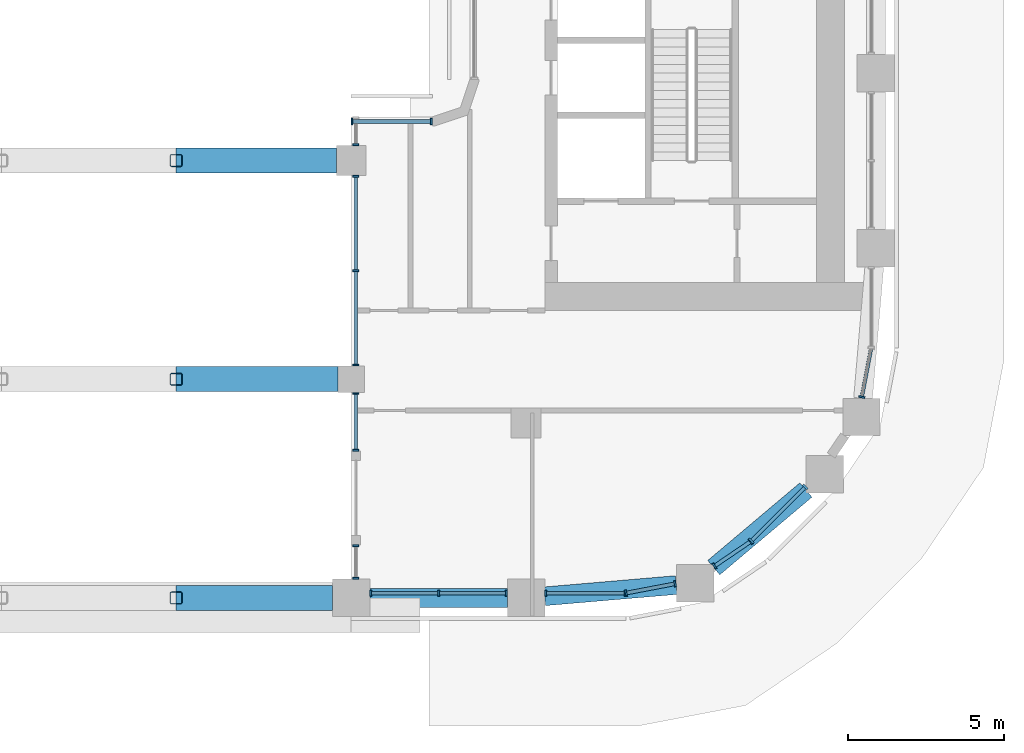
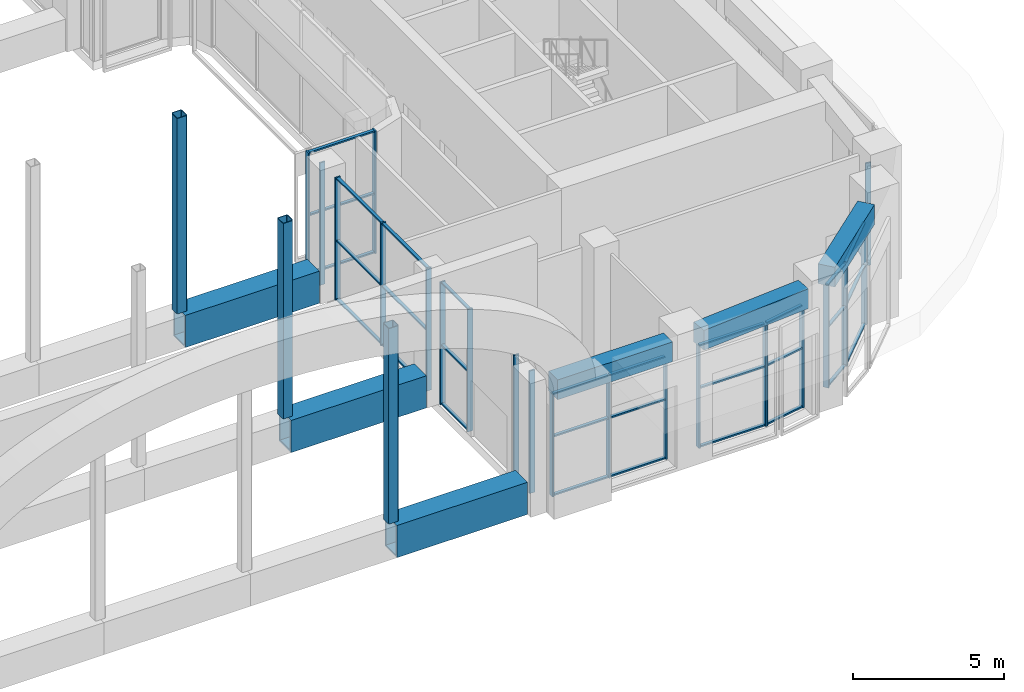
# One storey, part 5 of 28: 59 members, 3 beams, 11 elements without a shape of their own.
"""IFC4 building model written with IfcOpenShell, lengths in metres."""

from ifc_helpers import new_model, si_unit, direction, frame, origin, origin_2d, place, context, subcontext, project, spatial, rectangle, hollow_rectangle, extrude, material, layer, layer_set, material_profile, profile_set, type_object, element, aggregate, save


model = new_model("IFC4")

# Units and contexts
model_context = context("Model", 3, precision=1e-05, world=origin(), true_north=direction((0.0, 1.0)))
body_context = subcontext(model_context, "Body", "Model", "MODEL_VIEW")
ifc_project = project(units=[si_unit("LENGTHUNIT", "METRE"), si_unit("AREAUNIT", "SQUARE_METRE"), si_unit("VOLUMEUNIT", "CUBIC_METRE"), si_unit("PLANEANGLEUNIT", "RADIAN"), si_unit("MASSUNIT", "GRAM", prefix="KILO")], contexts=[model_context])

# Site, building, storey
site_placement = place(None, origin())
site = spatial("IfcSite", under=ifc_project, at=site_placement, CompositionType="ELEMENT")
building_placement = place(site_placement, origin())
building = spatial("IfcBuilding", under=site, at=building_placement, Name="Kiln Ring Residences", CompositionType="ELEMENT")
storey_placement = place(building_placement, frame((0.0, 0.0, 125.300048828125)))
storey = spatial("IfcBuildingStorey", under=building, at=storey_placement, Name="L32", CompositionType="ELEMENT", Elevation=125.300048828125)

# Members
ifc_material_1 = material(Name="Steel S460", Category="steel")
ifc_material_profile_1 = material_profile(ifc_material_1, hollow_rectangle(XDim=0.800048828125, YDim=1.300048828125, WallThickness=0.070068359375, at=origin_2d()), Name="BOX1300x800x70")
ifc_profile_set_1 = profile_set([ifc_material_profile_1], Name="Steel S460")
member_type_1 = type_object("IfcMemberType", Name="Bridge truss chord BOX1300x800x70 S460", PredefinedType="CHORD", material=ifc_profile_set_1)
member_1_placement = place(storey_placement, frame((5.60009765625, -22.39990234375, 0.64990234375), z_axis=(1.0, 0.0, 0.0), x_axis=(0.0, 1.0, 0.0)))
element("IfcMember", 1, at=member_1_placement, inside=storey, type_object=member_type_1, Name="Bridge truss chord L32 4", PredefinedType="CHORD", context=body_context, shape_type="SweptSolid", body=[
    extrude(hollow_rectangle(XDim=0.800048828125, YDim=1.300048828125, WallThickness=0.070068359375, at=origin_2d()), origin(), (0.0, 0.0, 1.0), 5.0),
])
member_2_placement = place(storey_placement, frame((5.60009765625, -15.39990234375, 0.64990234375), z_axis=(1.0, 0.0, 0.0), x_axis=(0.0, 1.0, 0.0)))
element("IfcMember", 2, at=member_2_placement, inside=storey, type_object=member_type_1, Name="Bridge truss chord L32 8", PredefinedType="CHORD", context=body_context, shape_type="SweptSolid", body=[
    extrude(hollow_rectangle(XDim=0.800048828125, YDim=1.300048828125, WallThickness=0.070068359375, at=origin_2d()), origin(), (0.0, 0.0, 1.0), 5.1748046875),
])
member_3_placement = place(storey_placement, frame((5.60009765625, -8.39990234375, 0.64990234375), z_axis=(1.0, 0.0, 0.0), x_axis=(0.0, 1.0, 0.0)))
element("IfcMember", 3, at=member_3_placement, inside=storey, type_object=member_type_1, Name="Bridge truss chord L32 12", PredefinedType="CHORD", context=body_context, shape_type="SweptSolid", body=[
    extrude(hollow_rectangle(XDim=0.800048828125, YDim=1.300048828125, WallThickness=0.070068359375, at=origin_2d()), origin(), (0.0, 0.0, 1.0), 5.125),
])
ifc_material_2 = material(Name="Steel S355", Category="steel")
ifc_material_profile_2 = material_profile(ifc_material_2, hollow_rectangle(XDim=0.39990234375, YDim=0.39990234375, WallThickness=0.02490234375, InnerFilletRadius=0.02490234375, OuterFilletRadius=0.0625, at=origin_2d()), Name="SHS400x400x25")
ifc_profile_set_2 = profile_set([ifc_material_profile_2], Name="Steel S355")
member_type_2 = type_object("IfcMemberType", Name="Bridge truss post SHS400x400x25 S355", PredefinedType="POST", material=ifc_profile_set_2)
for number, where, z_axis, x_axis, name in (
    (4, (5.60009765625, -22.39990234375, 1.300048828125), (0.0, 0.0, 1.0), (1.0, 0.0, 0.0), "Bridge truss post L32 3"),
    (5, (5.60009765625, -15.39990234375, 1.300048828125), (0.0, 0.0, 1.0), (1.0, 0.0, 0.0), "Bridge truss post L32 6"),
    (6, (5.60009765625, -8.39990234375, 1.300048828125), (0.0, 0.0, 1.0), (1.0, 0.0, 0.0), "Bridge truss post L32 9"),
):
    element("IfcMember", number, at=place(storey_placement, frame(where, z_axis=z_axis, x_axis=x_axis)), inside=storey, type_object=member_type_2, Name=name, PredefinedType="POST", context=body_context, shape_type="SweptSolid", body=[
        extrude(hollow_rectangle(XDim=0.39990234375, YDim=0.39990234375, WallThickness=0.02490234375, InnerFilletRadius=0.02490234375, OuterFilletRadius=0.0625, at=origin_2d()), origin(), (0.0, 0.0, 1.0), 7.89990234375),
    ])

# Curtain wall, members
ifc_material_3 = material(Name="Aluminium and glass", Category="aluminium")
ifc_layer = layer(ifc_material_3, 0.199951171875)
ifc_layer_set = layer_set([ifc_layer], Name="CW1 CURTAIN WALL")
curtain_wall_type = type_object("IfcCurtainWallType", Name="CW1 CURTAIN WALL", PredefinedType="NOTDEFINED", material=ifc_layer_set)
placement = place(storey_placement, origin())
curtain_wall_1 = element("IfcCurtainWall", 7, at=placement, inside=storey, type_object=curtain_wall_type, Name="Curtain wall CW1 L32", PredefinedType="NOTDEFINED")
ifc_material_4 = material(Name="Aluminium 6063-T6", Category="aluminium")
ifc_material_profile_3 = material_profile(ifc_material_4, rectangle(XDim=0.199951171875, YDim=0.06005859375, at=origin_2d()), Name="AL 200x60")
ifc_profile_set_3 = profile_set([ifc_material_profile_3], Name="Aluminium 6063-T6")
member_type_3 = type_object("IfcMemberType", Name="CW1 MULLION 200 x 60", PredefinedType="MULLION", material=ifc_profile_set_3)
member_4_placement = place(storey_placement, frame((13.77001953125, -7.14990234375, 0.0), z_axis=(0.0, 0.0, 1.0), x_axis=(0.0, -1.0, 0.0)))
member_4 = element("IfcMember", 8, at=member_4_placement, type_object=member_type_3, Name="CW1 mullion 1", PredefinedType="MULLION", context=body_context, shape_type="SweptSolid", body=[
    extrude(rectangle(XDim=0.199951171875, YDim=0.06005859375, at=origin_2d()), origin(), (0.0, 0.0, 1.0), 4.949951171875),
])
member_5_placement = place(storey_placement, frame((11.22998046875, -7.14990234375, 0.0), z_axis=(0.0, 0.0, 1.0), x_axis=(0.0, -1.0, 0.0)))
member_5 = element("IfcMember", 9, at=member_5_placement, type_object=member_type_3, Name="CW1 mullion 2", PredefinedType="MULLION", context=body_context, shape_type="SweptSolid", body=[
    extrude(rectangle(XDim=0.199951171875, YDim=0.06005859375, at=origin_2d()), origin(), (0.0, 0.0, 1.0), 4.949951171875),
])

# Curtain wall, member
curtain_wall_2 = element("IfcCurtainWall", 10, at=placement, inside=storey, type_object=curtain_wall_type, Name="Curtain wall CW1 L32", PredefinedType="NOTDEFINED")
member_6_placement = place(storey_placement, frame((11.35009765625, -7.89501953125, 0.0), z_axis=(0.0, 0.0, 1.0), x_axis=(1.0, 0.0, 0.0)))
member_6 = element("IfcMember", 11, at=member_6_placement, type_object=member_type_3, Name="CW1 mullion 2", PredefinedType="MULLION", context=body_context, shape_type="SweptSolid", body=[
    extrude(rectangle(XDim=0.199951171875, YDim=0.06005859375, at=origin_2d()), origin(), (0.0, 0.0, 1.0), 4.949951171875),
])
aggregate(curtain_wall_2, [member_6])

# Curtain wall, members
curtain_wall_3 = element("IfcCurtainWall", 12, at=placement, inside=storey, type_object=curtain_wall_type, Name="Curtain wall CW1 L32", PredefinedType="NOTDEFINED")
member_7_placement = place(storey_placement, frame((11.35009765625, -8.905029296875, 0.0), z_axis=(0.0, 0.0, 1.0), x_axis=(1.0, 0.0, 0.0)))
member_7 = element("IfcMember", 13, at=member_7_placement, type_object=member_type_3, Name="CW1 mullion 1", PredefinedType="MULLION", context=body_context, shape_type="SweptSolid", body=[
    extrude(rectangle(XDim=0.199951171875, YDim=0.06005859375, at=origin_2d()), origin(), (0.0, 0.0, 1.0), 4.949951171875),
])
member_8_placement = place(storey_placement, frame((11.35009765625, -11.925048828125, 0.0), z_axis=(0.0, 0.0, 1.0), x_axis=(1.0, 0.0, 0.0)))
member_8 = element("IfcMember", 14, at=member_8_placement, type_object=member_type_3, Name="CW1 mullion 2", PredefinedType="MULLION", context=body_context, shape_type="SweptSolid", body=[
    extrude(rectangle(XDim=0.199951171875, YDim=0.06005859375, at=origin_2d()), origin(), (0.0, 0.0, 1.0), 4.949951171875),
])
member_9_placement = place(storey_placement, frame((11.35009765625, -14.945068359375, 0.0), z_axis=(0.0, 0.0, 1.0), x_axis=(1.0, 0.0, 0.0)))
member_9 = element("IfcMember", 15, at=member_9_placement, type_object=member_type_3, Name="CW1 mullion 3", PredefinedType="MULLION", context=body_context, shape_type="SweptSolid", body=[
    extrude(rectangle(XDim=0.199951171875, YDim=0.06005859375, at=origin_2d()), origin(), (0.0, 0.0, 1.0), 4.949951171875),
])

curtain_wall_4 = element("IfcCurtainWall", 16, at=placement, inside=storey, type_object=curtain_wall_type, Name="Curtain wall CW1 L32", PredefinedType="NOTDEFINED")
member_10_placement = place(storey_placement, frame((11.35009765625, -15.85498046875, 0.0), z_axis=(0.0, 0.0, 1.0), x_axis=(1.0, 0.0, 0.0)))
member_10 = element("IfcMember", 17, at=member_10_placement, type_object=member_type_3, Name="CW1 mullion 1", PredefinedType="MULLION", context=body_context, shape_type="SweptSolid", body=[
    extrude(rectangle(XDim=0.199951171875, YDim=0.06005859375, at=origin_2d()), origin(), (0.0, 0.0, 1.0), 4.949951171875),
])
member_11_placement = place(storey_placement, frame((11.35009765625, -17.669921875, 0.0), z_axis=(0.0, 0.0, 1.0), x_axis=(1.0, 0.0, 0.0)))
member_11 = element("IfcMember", 18, at=member_11_placement, type_object=member_type_3, Name="CW1 mullion 2", PredefinedType="MULLION", context=body_context, shape_type="SweptSolid", body=[
    extrude(rectangle(XDim=0.199951171875, YDim=0.06005859375, at=origin_2d()), origin(), (0.0, 0.0, 1.0), 4.949951171875),
])

curtain_wall_5 = element("IfcCurtainWall", 19, at=placement, inside=storey, type_object=curtain_wall_type, Name="Curtain wall CW1 L32", PredefinedType="NOTDEFINED")
member_12_placement = place(storey_placement, frame((11.35009765625, -20.72998046875, 0.0), z_axis=(0.0, 0.0, 1.0), x_axis=(1.0, 0.0, 0.0)))
member_12 = element("IfcMember", 20, at=member_12_placement, type_object=member_type_3, Name="CW1 mullion 1", PredefinedType="MULLION", context=body_context, shape_type="SweptSolid", body=[
    extrude(rectangle(XDim=0.199951171875, YDim=0.06005859375, at=origin_2d()), origin(), (0.0, 0.0, 1.0), 4.949951171875),
])
member_13_placement = place(storey_placement, frame((11.35009765625, -21.77001953125, 0.0), z_axis=(0.0, 0.0, 1.0), x_axis=(1.0, 0.0, 0.0)))
member_13 = element("IfcMember", 21, at=member_13_placement, type_object=member_type_3, Name="CW1 mullion 2", PredefinedType="MULLION", context=body_context, shape_type="SweptSolid", body=[
    extrude(rectangle(XDim=0.199951171875, YDim=0.06005859375, at=origin_2d()), origin(), (0.0, 0.0, 1.0), 4.949951171875),
])
aggregate(curtain_wall_5, [member_12, member_13])

curtain_wall_6 = element("IfcCurtainWall", 22, at=placement, inside=storey, type_object=curtain_wall_type, Name="Curtain wall CW1 L32", PredefinedType="NOTDEFINED")
member_14_placement = place(storey_placement, frame((11.830078125, -22.25, 0.0), z_axis=(0.0, 0.0, 1.0), x_axis=(0.0, 1.0, 0.0)))
member_14 = element("IfcMember", 23, at=member_14_placement, type_object=member_type_3, Name="CW1 mullion 1", PredefinedType="MULLION", context=body_context, shape_type="SweptSolid", body=[
    extrude(rectangle(XDim=0.199951171875, YDim=0.06005859375, at=origin_2d()), origin(), (0.0, 0.0, 1.0), 4.14990234375),
])
member_15_placement = place(storey_placement, frame((14.0, -22.25, 0.0), z_axis=(0.0, 0.0, 1.0), x_axis=(0.0, 1.0, 0.0)))
member_15 = element("IfcMember", 24, at=member_15_placement, type_object=member_type_3, Name="CW1 mullion 2", PredefinedType="MULLION", context=body_context, shape_type="SweptSolid", body=[
    extrude(rectangle(XDim=0.199951171875, YDim=0.06005859375, at=origin_2d()), origin(), (0.0, 0.0, 1.0), 4.14990234375),
])
member_16_placement = place(storey_placement, frame((16.169921875, -22.25, 0.0), z_axis=(0.0, 0.0, 1.0), x_axis=(0.0, 1.0, 0.0)))
member_16 = element("IfcMember", 25, at=member_16_placement, type_object=member_type_3, Name="CW1 mullion 3", PredefinedType="MULLION", context=body_context, shape_type="SweptSolid", body=[
    extrude(rectangle(XDim=0.199951171875, YDim=0.06005859375, at=origin_2d()), origin(), (0.0, 0.0, 1.0), 4.14990234375),
])

curtain_wall_7 = element("IfcCurtainWall", 26, at=placement, inside=storey, type_object=curtain_wall_type, Name="Curtain wall CW1 L32", PredefinedType="NOTDEFINED")
member_17_placement = place(storey_placement, frame((17.429931640625, -22.25, 0.0), z_axis=(0.0, 0.0, 1.0), x_axis=(0.0, 1.0, 0.0)))
member_17 = element("IfcMember", 27, at=member_17_placement, type_object=member_type_3, Name="CW1 mullion 1", PredefinedType="MULLION", context=body_context, shape_type="SweptSolid", body=[
    extrude(rectangle(XDim=0.199951171875, YDim=0.06005859375, at=origin_2d()), origin(), (0.0, 0.0, 1.0), 4.14990234375),
])
member_18_placement = place(storey_placement, frame((19.969970703125, -22.25, 0.0), z_axis=(0.0, 0.0, 1.0), x_axis=(0.0, 1.0, 0.0)))
member_18 = element("IfcMember", 28, at=member_18_placement, type_object=member_type_3, Name="CW1 mullion 2", PredefinedType="MULLION", context=body_context, shape_type="SweptSolid", body=[
    extrude(rectangle(XDim=0.199951171875, YDim=0.06005859375, at=origin_2d()), origin(), (0.0, 0.0, 1.0), 4.14990234375),
])

curtain_wall_8 = element("IfcCurtainWall", 29, at=placement, inside=storey, type_object=curtain_wall_type, Name="Curtain wall CW1 L32", PredefinedType="NOTDEFINED")
member_19_placement = place(storey_placement, frame((20.00146484375, -22.2470703125, 0.0), z_axis=(0.0, 0.0, 1.0), x_axis=(-0.187365550262, 0.982290257803, 0.0)))
member_19 = element("IfcMember", 30, at=member_19_placement, type_object=member_type_3, Name="CW1 mullion 1", PredefinedType="MULLION", context=body_context, shape_type="SweptSolid", body=[
    extrude(rectangle(XDim=0.199951171875, YDim=0.06005859375, at=origin_2d()), origin(), (0.0, 0.0, 1.0), 4.14990234375),
])
member_20_placement = place(storey_placement, frame((21.5693359375, -21.947998046875, 0.0), z_axis=(0.0, 0.0, 1.0), x_axis=(-0.187365550262, 0.982290257803, 0.0)))
member_20 = element("IfcMember", 31, at=member_20_placement, type_object=member_type_3, Name="CW1 mullion 2", PredefinedType="MULLION", context=body_context, shape_type="SweptSolid", body=[
    extrude(rectangle(XDim=0.199951171875, YDim=0.06005859375, at=origin_2d()), origin(), (0.0, 0.0, 1.0), 4.14990234375),
])

curtain_wall_9 = element("IfcCurtainWall", 32, at=placement, inside=storey, type_object=curtain_wall_type, Name="Curtain wall CW1 L32", PredefinedType="NOTDEFINED")
member_21_placement = place(storey_placement, frame((22.83349609375, -21.38037109375, 0.0), z_axis=(0.0, 0.0, 1.0), x_axis=(-0.562096651409, 0.827071553419, 0.0)))
member_21 = element("IfcMember", 33, at=member_21_placement, type_object=member_type_3, Name="CW1 mullion 1", PredefinedType="MULLION", context=body_context, shape_type="SweptSolid", body=[
    extrude(rectangle(XDim=0.199951171875, YDim=0.06005859375, at=origin_2d()), origin(), (0.0, 0.0, 1.0), 4.14990234375),
])
member_22_placement = place(storey_placement, frame((23.988037109375, -20.595703125, 0.0), z_axis=(0.0, 0.0, 1.0), x_axis=(-0.562096651409, 0.827071553419, 0.0)))
member_22 = element("IfcMember", 34, at=member_22_placement, type_object=member_type_3, Name="CW1 mullion 2", PredefinedType="MULLION", context=body_context, shape_type="SweptSolid", body=[
    extrude(rectangle(XDim=0.199951171875, YDim=0.06005859375, at=origin_2d()), origin(), (0.0, 0.0, 1.0), 4.14990234375),
])

curtain_wall_10 = element("IfcCurtainWall", 35, at=placement, inside=storey, type_object=curtain_wall_type, Name="Curtain wall CW1 L32", PredefinedType="NOTDEFINED")
member_23_placement = place(storey_placement, frame((24.01220703125, -20.57568359375, 0.0), z_axis=(0.0, 0.0, 1.0), x_axis=(-0.707106781187, 0.707106781187, 0.0)))
member_23 = element("IfcMember", 36, at=member_23_placement, type_object=member_type_3, Name="CW1 mullion 1", PredefinedType="MULLION", context=body_context, shape_type="SweptSolid", body=[
    extrude(rectangle(XDim=0.199951171875, YDim=0.06005859375, at=origin_2d()), origin(), (0.0, 0.0, 1.0), 4.14990234375),
])
member_24_placement = place(storey_placement, frame((25.738525390625, -18.849365234375, 0.0), z_axis=(0.0, 0.0, 1.0), x_axis=(-0.707106781187, 0.707106781187, 0.0)))
member_24 = element("IfcMember", 37, at=member_24_placement, type_object=member_type_3, Name="CW1 mullion 2", PredefinedType="MULLION", context=body_context, shape_type="SweptSolid", body=[
    extrude(rectangle(XDim=0.199951171875, YDim=0.06005859375, at=origin_2d()), origin(), (0.0, 0.0, 1.0), 4.14990234375),
])

# Curtain wall, member
curtain_wall_11 = element("IfcCurtainWall", 38, at=placement, inside=storey, type_object=curtain_wall_type, Name="Curtain wall CW1 L32", PredefinedType="NOTDEFINED")
member_25_placement = place(storey_placement, frame((27.548095703125, -15.96923828125, 0.0), z_axis=(0.0, 0.0, 1.0), x_axis=(-0.982290257803, 0.187365550262, 0.0)))
member_25 = element("IfcMember", 39, at=member_25_placement, type_object=member_type_3, Name="CW1 mullion 1", PredefinedType="MULLION", context=body_context, shape_type="SweptSolid", body=[
    extrude(rectangle(XDim=0.199951171875, YDim=0.06005859375, at=origin_2d()), origin(), (0.0, 0.0, 1.0), 4.14990234375),
])

# Member
ifc_material_5 = material(Name="Aluminium 6063-T6", Category="aluminium")
ifc_material_profile_4 = material_profile(ifc_material_5, rectangle(XDim=0.1201171875, YDim=0.06005859375, at=origin_2d()), Name="AL 120x60")
ifc_profile_set_4 = profile_set([ifc_material_profile_4], Name="Aluminium 6063-T6")
member_type_4 = type_object("IfcMemberType", Name="CW1 TRANSOM 120 x 60", PredefinedType="USERDEFINED", material=ifc_profile_set_4)
member_26_placement = place(storey_placement, frame((13.739990234375, -7.14990234375, 0.030029296875), z_axis=(-1.0, 0.0, 0.0), x_axis=(0.0, -1.0, 0.0)))
member_26 = element("IfcMember", 40, at=member_26_placement, type_object=member_type_4, Name="CW1 transom 1.1", ObjectType="TRANSOM", PredefinedType="USERDEFINED", context=body_context, shape_type="SweptSolid", body=[
    extrude(rectangle(XDim=0.1201171875, YDim=0.06005859375, at=origin_2d()), origin(), (0.0, 0.0, 1.0), 2.47998046875),
])

member_27_placement = place(storey_placement, frame((13.739990234375, -7.14990234375, 2.39990234375), z_axis=(-1.0, 0.0, 0.0), x_axis=(0.0, -1.0, 0.0)))
member_27 = element("IfcMember", 41, at=member_27_placement, type_object=member_type_4, Name="CW1 transom 1.2", ObjectType="TRANSOM", PredefinedType="USERDEFINED", context=body_context, shape_type="SweptSolid", body=[
    extrude(rectangle(XDim=0.1201171875, YDim=0.06005859375, at=origin_2d()), origin(), (0.0, 0.0, 1.0), 2.47998046875),
])

member_28_placement = place(storey_placement, frame((13.739990234375, -7.14990234375, 4.919921875), z_axis=(-1.0, 0.0, 0.0), x_axis=(0.0, -1.0, 0.0)))
member_28 = element("IfcMember", 42, at=member_28_placement, type_object=member_type_4, Name="CW1 transom 1.3", ObjectType="TRANSOM", PredefinedType="USERDEFINED", context=body_context, shape_type="SweptSolid", body=[
    extrude(rectangle(XDim=0.1201171875, YDim=0.06005859375, at=origin_2d()), origin(), (0.0, 0.0, 1.0), 2.47998046875),
])

aggregate(curtain_wall_1, [member_4, member_5, member_26, member_27, member_28])

member_29_placement = place(storey_placement, frame((11.35009765625, -8.93505859375, 0.030029296875), z_axis=(0.0, -1.0, 0.0), x_axis=(1.0, 0.0, 0.0)))
member_29 = element("IfcMember", 43, at=member_29_placement, type_object=member_type_4, Name="CW1 transom 1.1", ObjectType="TRANSOM", PredefinedType="USERDEFINED", context=body_context, shape_type="SweptSolid", body=[
    extrude(rectangle(XDim=0.1201171875, YDim=0.06005859375, at=origin_2d()), origin(), (0.0, 0.0, 1.0), 2.9599609375),
])

member_30_placement = place(storey_placement, frame((11.35009765625, -8.93505859375, 2.39990234375), z_axis=(0.0, -1.0, 0.0), x_axis=(1.0, 0.0, 0.0)))
member_30 = element("IfcMember", 44, at=member_30_placement, type_object=member_type_4, Name="CW1 transom 1.2", ObjectType="TRANSOM", PredefinedType="USERDEFINED", context=body_context, shape_type="SweptSolid", body=[
    extrude(rectangle(XDim=0.1201171875, YDim=0.06005859375, at=origin_2d()), origin(), (0.0, 0.0, 1.0), 2.9599609375),
])

member_31_placement = place(storey_placement, frame((11.35009765625, -8.93505859375, 4.919921875), z_axis=(0.0, -1.0, 0.0), x_axis=(1.0, 0.0, 0.0)))
member_31 = element("IfcMember", 45, at=member_31_placement, type_object=member_type_4, Name="CW1 transom 1.3", ObjectType="TRANSOM", PredefinedType="USERDEFINED", context=body_context, shape_type="SweptSolid", body=[
    extrude(rectangle(XDim=0.1201171875, YDim=0.06005859375, at=origin_2d()), origin(), (0.0, 0.0, 1.0), 2.9599609375),
])

member_32_placement = place(storey_placement, frame((11.35009765625, -11.955078125, 0.030029296875), z_axis=(0.0, -1.0, 0.0), x_axis=(1.0, 0.0, 0.0)))
member_32 = element("IfcMember", 46, at=member_32_placement, type_object=member_type_4, Name="CW1 transom 2.1", ObjectType="TRANSOM", PredefinedType="USERDEFINED", context=body_context, shape_type="SweptSolid", body=[
    extrude(rectangle(XDim=0.1201171875, YDim=0.06005859375, at=origin_2d()), origin(), (0.0, 0.0, 1.0), 2.9599609375),
])

member_33_placement = place(storey_placement, frame((11.35009765625, -11.955078125, 2.39990234375), z_axis=(0.0, -1.0, 0.0), x_axis=(1.0, 0.0, 0.0)))
member_33 = element("IfcMember", 47, at=member_33_placement, type_object=member_type_4, Name="CW1 transom 2.2", ObjectType="TRANSOM", PredefinedType="USERDEFINED", context=body_context, shape_type="SweptSolid", body=[
    extrude(rectangle(XDim=0.1201171875, YDim=0.06005859375, at=origin_2d()), origin(), (0.0, 0.0, 1.0), 2.9599609375),
])

member_34_placement = place(storey_placement, frame((11.35009765625, -11.955078125, 4.919921875), z_axis=(0.0, -1.0, 0.0), x_axis=(1.0, 0.0, 0.0)))
member_34 = element("IfcMember", 48, at=member_34_placement, type_object=member_type_4, Name="CW1 transom 2.3", ObjectType="TRANSOM", PredefinedType="USERDEFINED", context=body_context, shape_type="SweptSolid", body=[
    extrude(rectangle(XDim=0.1201171875, YDim=0.06005859375, at=origin_2d()), origin(), (0.0, 0.0, 1.0), 2.9599609375),
])

aggregate(curtain_wall_3, [member_7, member_8, member_9, member_29, member_30, member_31, member_32, member_33, member_34])

member_35_placement = place(storey_placement, frame((11.35009765625, -15.885009765625, 0.030029296875), z_axis=(0.0, -1.0, 0.0), x_axis=(1.0, 0.0, 0.0)))
member_35 = element("IfcMember", 49, at=member_35_placement, type_object=member_type_4, Name="CW1 transom 1.1", ObjectType="TRANSOM", PredefinedType="USERDEFINED", context=body_context, shape_type="SweptSolid", body=[
    extrude(rectangle(XDim=0.1201171875, YDim=0.06005859375, at=origin_2d()), origin(), (0.0, 0.0, 1.0), 1.7548828125),
])

member_36_placement = place(storey_placement, frame((11.35009765625, -15.885009765625, 2.39990234375), z_axis=(0.0, -1.0, 0.0), x_axis=(1.0, 0.0, 0.0)))
member_36 = element("IfcMember", 50, at=member_36_placement, type_object=member_type_4, Name="CW1 transom 1.2", ObjectType="TRANSOM", PredefinedType="USERDEFINED", context=body_context, shape_type="SweptSolid", body=[
    extrude(rectangle(XDim=0.1201171875, YDim=0.06005859375, at=origin_2d()), origin(), (0.0, 0.0, 1.0), 1.7548828125),
])

member_37_placement = place(storey_placement, frame((11.35009765625, -15.885009765625, 4.919921875), z_axis=(0.0, -1.0, 0.0), x_axis=(1.0, 0.0, 0.0)))
member_37 = element("IfcMember", 51, at=member_37_placement, type_object=member_type_4, Name="CW1 transom 1.3", ObjectType="TRANSOM", PredefinedType="USERDEFINED", context=body_context, shape_type="SweptSolid", body=[
    extrude(rectangle(XDim=0.1201171875, YDim=0.06005859375, at=origin_2d()), origin(), (0.0, 0.0, 1.0), 1.7548828125),
])

aggregate(curtain_wall_4, [member_10, member_11, member_35, member_36, member_37])

member_38_placement = place(storey_placement, frame((11.860107421875, -22.25, 0.030029296875), z_axis=(1.0, 0.0, 0.0), x_axis=(0.0, 1.0, 0.0)))
member_38 = element("IfcMember", 52, at=member_38_placement, type_object=member_type_4, Name="CW1 transom 1.1", ObjectType="TRANSOM", PredefinedType="USERDEFINED", context=body_context, shape_type="SweptSolid", body=[
    extrude(rectangle(XDim=0.1201171875, YDim=0.06005859375, at=origin_2d()), origin(), (0.0, 0.0, 1.0), 2.10986328125),
])

member_39_placement = place(storey_placement, frame((11.860107421875, -22.25, 2.39990234375), z_axis=(1.0, 0.0, 0.0), x_axis=(0.0, 1.0, 0.0)))
member_39 = element("IfcMember", 53, at=member_39_placement, type_object=member_type_4, Name="CW1 transom 1.2", ObjectType="TRANSOM", PredefinedType="USERDEFINED", context=body_context, shape_type="SweptSolid", body=[
    extrude(rectangle(XDim=0.1201171875, YDim=0.06005859375, at=origin_2d()), origin(), (0.0, 0.0, 1.0), 2.10986328125),
])

member_40_placement = place(storey_placement, frame((11.860107421875, -22.25, 4.119873046875), z_axis=(1.0, 0.0, 0.0), x_axis=(0.0, 1.0, 0.0)))
member_40 = element("IfcMember", 54, at=member_40_placement, type_object=member_type_4, Name="CW1 transom 1.3", ObjectType="TRANSOM", PredefinedType="USERDEFINED", context=body_context, shape_type="SweptSolid", body=[
    extrude(rectangle(XDim=0.1201171875, YDim=0.06005859375, at=origin_2d()), origin(), (0.0, 0.0, 1.0), 2.10986328125),
])

member_41_placement = place(storey_placement, frame((14.030029296875, -22.25, 0.030029296875), z_axis=(1.0, 0.0, 0.0), x_axis=(0.0, 1.0, 0.0)))
member_41 = element("IfcMember", 55, at=member_41_placement, type_object=member_type_4, Name="CW1 transom 2.1", ObjectType="TRANSOM", PredefinedType="USERDEFINED", context=body_context, shape_type="SweptSolid", body=[
    extrude(rectangle(XDim=0.1201171875, YDim=0.06005859375, at=origin_2d()), origin(), (0.0, 0.0, 1.0), 2.10986328125),
])

member_42_placement = place(storey_placement, frame((14.030029296875, -22.25, 2.39990234375), z_axis=(1.0, 0.0, 0.0), x_axis=(0.0, 1.0, 0.0)))
member_42 = element("IfcMember", 56, at=member_42_placement, type_object=member_type_4, Name="CW1 transom 2.2", ObjectType="TRANSOM", PredefinedType="USERDEFINED", context=body_context, shape_type="SweptSolid", body=[
    extrude(rectangle(XDim=0.1201171875, YDim=0.06005859375, at=origin_2d()), origin(), (0.0, 0.0, 1.0), 2.10986328125),
])

member_43_placement = place(storey_placement, frame((14.030029296875, -22.25, 4.119873046875), z_axis=(1.0, 0.0, 0.0), x_axis=(0.0, 1.0, 0.0)))
member_43 = element("IfcMember", 57, at=member_43_placement, type_object=member_type_4, Name="CW1 transom 2.3", ObjectType="TRANSOM", PredefinedType="USERDEFINED", context=body_context, shape_type="SweptSolid", body=[
    extrude(rectangle(XDim=0.1201171875, YDim=0.06005859375, at=origin_2d()), origin(), (0.0, 0.0, 1.0), 2.10986328125),
])

aggregate(curtain_wall_6, [member_14, member_15, member_16, member_38, member_39, member_40, member_41, member_42, member_43])

member_44_placement = place(storey_placement, frame((17.4599609375, -22.25, 0.030029296875), z_axis=(1.0, 0.0, 0.0), x_axis=(0.0, 1.0, 0.0)))
member_44 = element("IfcMember", 58, at=member_44_placement, type_object=member_type_4, Name="CW1 transom 1.1", ObjectType="TRANSOM", PredefinedType="USERDEFINED", context=body_context, shape_type="SweptSolid", body=[
    extrude(rectangle(XDim=0.1201171875, YDim=0.06005859375, at=origin_2d()), origin(), (0.0, 0.0, 1.0), 2.47998046875),
])

member_45_placement = place(storey_placement, frame((17.4599609375, -22.25, 2.39990234375), z_axis=(1.0, 0.0, 0.0), x_axis=(0.0, 1.0, 0.0)))
member_45 = element("IfcMember", 59, at=member_45_placement, type_object=member_type_4, Name="CW1 transom 1.2", ObjectType="TRANSOM", PredefinedType="USERDEFINED", context=body_context, shape_type="SweptSolid", body=[
    extrude(rectangle(XDim=0.1201171875, YDim=0.06005859375, at=origin_2d()), origin(), (0.0, 0.0, 1.0), 2.47998046875),
])

member_46_placement = place(storey_placement, frame((17.4599609375, -22.25, 4.119873046875), z_axis=(1.0, 0.0, 0.0), x_axis=(0.0, 1.0, 0.0)))
member_46 = element("IfcMember", 60, at=member_46_placement, type_object=member_type_4, Name="CW1 transom 1.3", ObjectType="TRANSOM", PredefinedType="USERDEFINED", context=body_context, shape_type="SweptSolid", body=[
    extrude(rectangle(XDim=0.1201171875, YDim=0.06005859375, at=origin_2d()), origin(), (0.0, 0.0, 1.0), 2.47998046875),
])

aggregate(curtain_wall_7, [member_17, member_18, member_44, member_45, member_46])

member_47_placement = place(storey_placement, frame((20.03076171875, -22.241455078125, 0.030029296875), z_axis=(0.982289848443, 0.187367696378, 0.0), x_axis=(-0.187367696378, 0.982289848443, 0.0)))
member_47 = element("IfcMember", 61, at=member_47_placement, type_object=member_type_4, Name="CW1 transom 1.1", ObjectType="TRANSOM", PredefinedType="USERDEFINED", context=body_context, shape_type="SweptSolid", body=[
    extrude(rectangle(XDim=0.1201171875, YDim=0.06005859375, at=origin_2d()), origin(), (0.0, 0.0, 1.0), 1.5361328125),
])

member_48_placement = place(storey_placement, frame((20.03076171875, -22.241455078125, 2.39990234375), z_axis=(0.982289848443, 0.187367696378, 0.0), x_axis=(-0.187367696378, 0.982289848443, 0.0)))
member_48 = element("IfcMember", 62, at=member_48_placement, type_object=member_type_4, Name="CW1 transom 1.2", ObjectType="TRANSOM", PredefinedType="USERDEFINED", context=body_context, shape_type="SweptSolid", body=[
    extrude(rectangle(XDim=0.1201171875, YDim=0.06005859375, at=origin_2d()), origin(), (0.0, 0.0, 1.0), 1.5361328125),
])

member_49_placement = place(storey_placement, frame((20.03076171875, -22.241455078125, 4.119873046875), z_axis=(0.982289848443, 0.187367696378, 0.0), x_axis=(-0.187367696378, 0.982289848443, 0.0)))
member_49 = element("IfcMember", 63, at=member_49_placement, type_object=member_type_4, Name="CW1 transom 1.3", ObjectType="TRANSOM", PredefinedType="USERDEFINED", context=body_context, shape_type="SweptSolid", body=[
    extrude(rectangle(XDim=0.1201171875, YDim=0.06005859375, at=origin_2d()), origin(), (0.0, 0.0, 1.0), 1.5361328125),
])

aggregate(curtain_wall_8, [member_19, member_20, member_47, member_48, member_49])

member_50_placement = place(storey_placement, frame((22.8583984375, -21.363525390625, 0.030029296875), z_axis=(0.827011476336, 0.562185038941, 0.0), x_axis=(-0.562185038941, 0.827011476336, 0.0)))
member_50 = element("IfcMember", 64, at=member_50_placement, type_object=member_type_4, Name="CW1 transom 1.1", ObjectType="TRANSOM", PredefinedType="USERDEFINED", context=body_context, shape_type="SweptSolid", body=[
    extrude(rectangle(XDim=0.1201171875, YDim=0.06005859375, at=origin_2d()), origin(), (0.0, 0.0, 1.0), 1.3359375),
])

member_51_placement = place(storey_placement, frame((22.8583984375, -21.363525390625, 2.39990234375), z_axis=(0.827011476336, 0.562185038941, 0.0), x_axis=(-0.562185038941, 0.827011476336, 0.0)))
member_51 = element("IfcMember", 65, at=member_51_placement, type_object=member_type_4, Name="CW1 transom 1.2", ObjectType="TRANSOM", PredefinedType="USERDEFINED", context=body_context, shape_type="SweptSolid", body=[
    extrude(rectangle(XDim=0.1201171875, YDim=0.06005859375, at=origin_2d()), origin(), (0.0, 0.0, 1.0), 1.3359375),
])

member_52_placement = place(storey_placement, frame((22.8583984375, -21.363525390625, 4.119873046875), z_axis=(0.827011476336, 0.562185038941, 0.0), x_axis=(-0.562185038941, 0.827011476336, 0.0)))
member_52 = element("IfcMember", 66, at=member_52_placement, type_object=member_type_4, Name="CW1 transom 1.3", ObjectType="TRANSOM", PredefinedType="USERDEFINED", context=body_context, shape_type="SweptSolid", body=[
    extrude(rectangle(XDim=0.1201171875, YDim=0.06005859375, at=origin_2d()), origin(), (0.0, 0.0, 1.0), 1.3359375),
])

aggregate(curtain_wall_9, [member_21, member_22, member_50, member_51, member_52])

member_53_placement = place(storey_placement, frame((24.033447265625, -20.554443359375, 0.030029296875), z_axis=(0.707106781187, 0.707106781187, 0.0), x_axis=(-0.707106781187, 0.707106781187, 0.0)))
member_53 = element("IfcMember", 67, at=member_53_placement, type_object=member_type_4, Name="CW1 transom 1.1", ObjectType="TRANSOM", PredefinedType="USERDEFINED", context=body_context, shape_type="SweptSolid", body=[
    extrude(rectangle(XDim=0.1201171875, YDim=0.06005859375, at=origin_2d()), origin(), (0.0, 0.0, 1.0), 2.38134765625),
])

member_54_placement = place(storey_placement, frame((24.033447265625, -20.554443359375, 2.39990234375), z_axis=(0.707106781187, 0.707106781187, 0.0), x_axis=(-0.707106781187, 0.707106781187, 0.0)))
member_54 = element("IfcMember", 68, at=member_54_placement, type_object=member_type_4, Name="CW1 transom 1.2", ObjectType="TRANSOM", PredefinedType="USERDEFINED", context=body_context, shape_type="SweptSolid", body=[
    extrude(rectangle(XDim=0.1201171875, YDim=0.06005859375, at=origin_2d()), origin(), (0.0, 0.0, 1.0), 2.38134765625),
])

member_55_placement = place(storey_placement, frame((24.033447265625, -20.554443359375, 4.119873046875), z_axis=(0.707106781187, 0.707106781187, 0.0), x_axis=(-0.707106781187, 0.707106781187, 0.0)))
member_55 = element("IfcMember", 69, at=member_55_placement, type_object=member_type_4, Name="CW1 transom 1.3", ObjectType="TRANSOM", PredefinedType="USERDEFINED", context=body_context, shape_type="SweptSolid", body=[
    extrude(rectangle(XDim=0.1201171875, YDim=0.06005859375, at=origin_2d()), origin(), (0.0, 0.0, 1.0), 2.38134765625),
])

aggregate(curtain_wall_10, [member_23, member_24, member_53, member_54, member_55])

member_56_placement = place(storey_placement, frame((27.5537109375, -15.939697265625, 0.030029296875), z_axis=(0.187243579417, 0.98231351511, 0.0), x_axis=(-0.98231351511, 0.187243579417, 0.0)))
member_56 = element("IfcMember", 70, at=member_56_placement, type_object=member_type_4, Name="CW1 transom 1.1", ObjectType="TRANSOM", PredefinedType="USERDEFINED", context=body_context, shape_type="SweptSolid", body=[
    extrude(rectangle(XDim=0.1201171875, YDim=0.06005859375, at=origin_2d()), origin(), (0.0, 0.0, 1.0), 1.535888671875),
])

aggregate(curtain_wall_11, [member_25, member_56])

# Beams
ifc_material_6 = material(Name="Concrete C50/60", Category="concrete")
ifc_material_profile_5 = material_profile(ifc_material_6, rectangle(XDim=0.60009765625, YDim=0.800048828125, at=origin_2d()), Name="RC600x800")
ifc_profile_set_5 = profile_set([ifc_material_profile_5], Name="Concrete C50/60")
beam_type = type_object("IfcBeamType", Name="Spandrel beam RC600x800 C50/60", PredefinedType="SPANDREL", material=ifc_profile_set_5)
beam_1_placement = place(storey_placement, frame((11.800048828125, -22.39990234375, 4.550048828125), z_axis=(1.0, 0.0, 0.0), x_axis=(0.0, 1.0, 0.0)))
element("IfcBeam", 71, at=beam_1_placement, inside=storey, type_object=beam_type, Name="Spandrel beam L32 3", PredefinedType="SPANDREL", context=body_context, shape_type="SweptSolid", body=[
    extrude(rectangle(XDim=0.60009765625, YDim=0.800048828125, at=origin_2d()), origin(), (0.0, 0.0, 1.0), 4.39990234375),
])
beam_2_placement = place(storey_placement, frame((17.39990234375, -22.348876953125, 4.550048828125), z_axis=(0.996369376645, 0.085135570033, 0.0), x_axis=(-0.085135570033, 0.996369376645, 0.0)))
element("IfcBeam", 72, at=beam_2_placement, inside=storey, type_object=beam_type, Name="Spandrel beam L32 4", PredefinedType="SPANDREL", context=body_context, shape_type="SweptSolid", body=[
    extrude(rectangle(XDim=0.60009765625, YDim=0.800048828125, at=origin_2d()), origin(), (0.0, 0.0, 1.0), 4.22412109375),
])
beam_3_placement = place(storey_placement, frame((22.80859375, -21.4326171875, 4.550048828125), z_axis=(0.764704456802, 0.644381171161, 0.0), x_axis=(-0.644381171161, 0.764704456802, 0.0)))
element("IfcBeam", 73, at=beam_3_placement, inside=storey, type_object=beam_type, Name="Spandrel beam L32 5", PredefinedType="SPANDREL", context=body_context, shape_type="SweptSolid", body=[
    extrude(rectangle(XDim=0.60009765625, YDim=0.800048828125, at=origin_2d()), origin(), (0.0, 0.0, 1.0), 3.859130859375),
])

save(model, "model.ifc")
